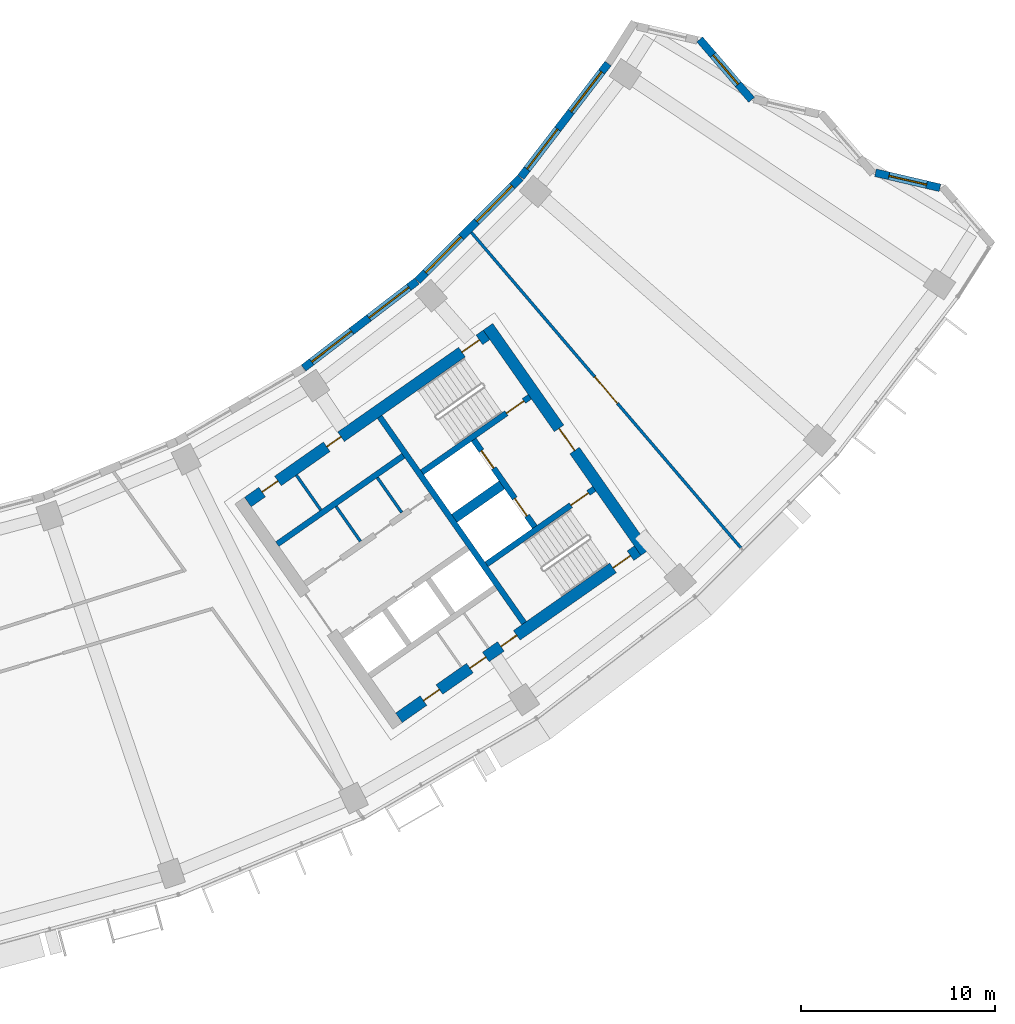
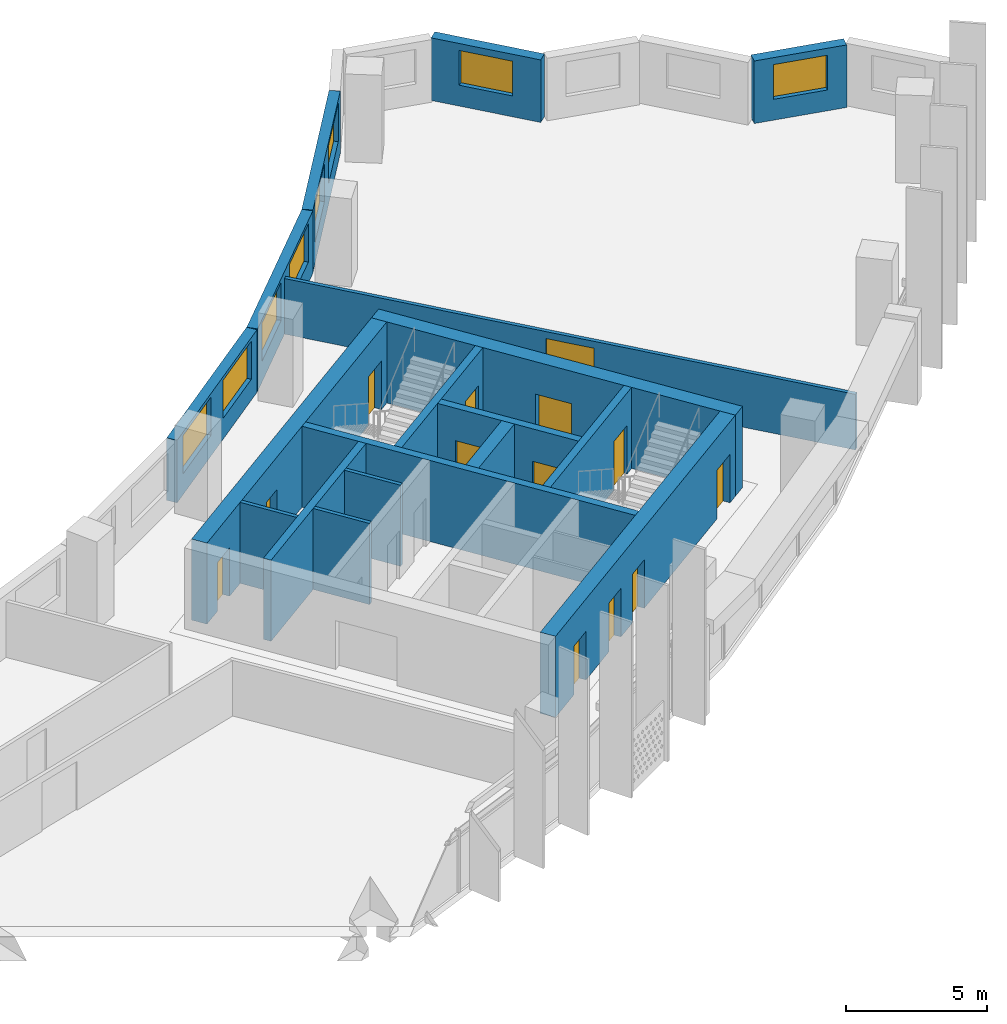
# One storey, part 7 of 27: 18 walls, 13 doors, 8 windows, 21 openings.
"""IFC4 building model written with IfcOpenShell, lengths in metres."""

from ifc_helpers import new_model, si_unit, direction, frame, frame_2d, origin, place, context, subcontext, project, spatial, rectangle, extrude, material, layer, layer_set, type_object, element, fill, save


model = new_model("IFC4")

# Units and contexts
model_context = context("Model", 3, precision=1e-05, world=origin(), true_north=direction((0.0, 1.0)))
body_context = subcontext(model_context, "Body", "Model", "MODEL_VIEW")
ifc_project = project(units=[si_unit("LENGTHUNIT", "METRE"), si_unit("AREAUNIT", "SQUARE_METRE"), si_unit("VOLUMEUNIT", "CUBIC_METRE"), si_unit("PLANEANGLEUNIT", "RADIAN"), si_unit("MASSUNIT", "GRAM", prefix="KILO")], contexts=[model_context])

# Site, building, storey
site_placement = place(None, origin())
site = spatial("IfcSite", under=ifc_project, at=site_placement, CompositionType="ELEMENT")
building_placement = place(site_placement, origin())
building = spatial("IfcBuilding", under=site, at=building_placement, Name="Qamariyya Broadcast Tower", CompositionType="ELEMENT")
storey_placement = place(building_placement, frame((0.0, 0.0, 187.300048828125)))
storey = spatial("IfcBuildingStorey", under=building, at=storey_placement, Name="L44", CompositionType="ELEMENT", Elevation=187.300048828125)

# Wall, opening, door
ifc_material_1 = material(Name="Concrete C60/75", Category="concrete")
ifc_layer_1 = layer(ifc_material_1, 0.60009765625)
ifc_layer_set_1 = layer_set([ifc_layer_1], Name="Core wall 600 mm Concrete C60/75")
wall_type_1 = type_object("IfcWallType", Name="Core wall 600 mm Concrete C60/75", PredefinedType="SHEAR", material=ifc_layer_set_1)
wall_1_placement = place(storey_placement, frame((49.4833984375, -57.031494140625, 0.0), z_axis=(0.0, 0.0, 1.0), x_axis=(-0.573560421458, 0.819163257805, 0.0)))
wall_1 = element("IfcWall", 1, at=wall_1_placement, inside=storey, type_object=wall_type_1, Name="k-E-L44-WH", PredefinedType="SHEAR", context=body_context, shape_type="SweptSolid", body=[
    extrude(rectangle(XDim=14.199951171875, YDim=0.60009765625, at=frame_2d((7.10009765625, 0.0))), origin(), (0.0, 0.0, 1.0), 3.5),
])
opening_1_placement = place(wall_1_placement, frame((6.39990234375, 0.0, 0.0)))
opening_1 = element("IfcOpeningElement", 2, at=opening_1_placement, cuts=wall_1, Name="Opening KD2-E1", PredefinedType="OPENING", context=body_context, shape_type="SweptSolid", body=[
    extrude(rectangle(XDim=1.39990234375, YDim=2.10009765625, at=frame_2d((0.699951171875, 1.050048828125))), frame((0.0, 0.31005859375, 0.0), z_axis=(0.0, -1.0, 0.0), x_axis=(1.0, 0.0, 0.0)), (0.0, 0.0, 1.0), 0.6201171875),
])
ifc_material_2 = material(Name="Steel fire-resisting door leaf", Category="steel")
door_type_1 = type_object("IfcDoorType", Name="Fire-fighting lobby door KD2", OperationType="DOUBLE_DOOR_SINGLE_SWING", PredefinedType="DOOR", material=ifc_material_2)
door_1_placement = place(opening_1_placement, origin())
door_1 = element("IfcDoor", 3, at=door_1_placement, inside=storey, type_object=door_type_1, Name="k-E-L44-WH-D14", OperationType="DOUBLE_DOOR_SINGLE_SWING", OverallHeight=2.10009765625, OverallWidth=1.39990234375, PredefinedType="DOOR", context=body_context, shape_type="SweptSolid", body=[
    extrude(rectangle(XDim=1.39990234375, YDim=2.10009765625, at=frame_2d((0.699951171875, 1.050048828125))), frame((0.0, 0.02490234375, 0.0), z_axis=(0.0, -1.0, 0.0), x_axis=(1.0, 0.0, 0.0)), (0.0, 0.0, 1.0), 0.050048828125),
])
fill(opening_1, door_1)

# Wall, openings, doors
wall_2_placement = place(storey_placement, frame((28.940673828125, -54.447021484375, 0.0), z_axis=(0.0, 0.0, 1.0), x_axis=(0.819153391756, 0.573574511963, 0.0)))
wall_2 = element("IfcWall", 4, at=wall_2_placement, inside=storey, type_object=wall_type_1, Name="k-E-L44-WI", PredefinedType="SHEAR", context=body_context, shape_type="SweptSolid", body=[
    extrude(rectangle(XDim=15.04541015625, YDim=0.60009765625, at=frame_2d((7.522705078125, 0.0))), origin(), (0.0, 0.0, 1.0), 3.5),
])
opening_2_placement = place(wall_2_placement, frame((0.89990234375, 0.0, 0.0)))
opening_2 = element("IfcOpeningElement", 5, at=opening_2_placement, cuts=wall_2, Name="Opening KD7-E1", PredefinedType="OPENING", context=body_context, shape_type="SweptSolid", body=[
    extrude(rectangle(XDim=1.0, YDim=2.10009765625, at=frame_2d((0.5, 1.050048828125))), frame((0.0, 0.31005859375, 0.0), z_axis=(0.0, -1.0, 0.0), x_axis=(1.0, 0.0, 0.0)), (0.0, 0.0, 1.0), 0.6201171875),
])
opening_3_placement = place(wall_2_placement, frame((4.97509765625, 0.0, 0.0)))
opening_3 = element("IfcOpeningElement", 6, at=opening_3_placement, cuts=wall_2, Name="Opening KD5-E1", PredefinedType="OPENING", context=body_context, shape_type="SweptSolid", body=[
    extrude(rectangle(XDim=0.89990234375, YDim=2.10009765625, at=frame_2d((0.449951171875, 1.050048828125))), frame((0.0, 0.31005859375, 0.0), z_axis=(0.0, -1.0, 0.0), x_axis=(1.0, 0.0, 0.0)), (0.0, 0.0, 1.0), 0.6201171875),
])
opening_4_placement = place(wall_2_placement, frame((13.495361328125, 0.0, 0.0)))
opening_4 = element("IfcOpeningElement", 7, at=opening_4_placement, cuts=wall_2, Name="Opening KD1-E1", PredefinedType="OPENING", context=body_context, shape_type="SweptSolid", body=[
    extrude(rectangle(XDim=1.10009765625, YDim=2.10009765625, at=frame_2d((0.550048828125, 1.050048828125))), frame((0.0, 0.31005859375, 0.0), z_axis=(0.0, -1.0, 0.0), x_axis=(1.0, 0.0, 0.0)), (0.0, 0.0, 1.0), 0.6201171875),
])
door_type_2 = type_object("IfcDoorType", Name="Accessible toilet door KD7", OperationType="SINGLE_SWING_LEFT", PredefinedType="DOOR", material=ifc_material_2)
door_2_placement = place(opening_2_placement, origin())
door_2 = element("IfcDoor", 8, at=door_2_placement, inside=storey, type_object=door_type_2, Name="k-E-L44-WI-D7", OperationType="SINGLE_SWING_LEFT", OverallHeight=2.10009765625, OverallWidth=1.0, PredefinedType="DOOR", context=body_context, shape_type="SweptSolid", body=[
    extrude(rectangle(XDim=1.0, YDim=2.10009765625, at=frame_2d((0.5, 1.050048828125))), frame((0.0, 0.02490234375, 0.0), z_axis=(0.0, -1.0, 0.0), x_axis=(1.0, 0.0, 0.0)), (0.0, 0.0, 1.0), 0.050048828125),
])
fill(opening_2, door_2)
door_type_3 = type_object("IfcDoorType", Name="Stair door KD1", OperationType="SINGLE_SWING_LEFT", PredefinedType="DOOR", material=ifc_material_2)
door_3_placement = place(opening_4_placement, origin())
door_3 = element("IfcDoor", 9, at=door_3_placement, inside=storey, type_object=door_type_3, Name="k-E-L44-WI-D15", OperationType="SINGLE_SWING_RIGHT", OverallHeight=2.10009765625, OverallWidth=1.10009765625, PredefinedType="DOOR", context=body_context, shape_type="SweptSolid", body=[
    extrude(rectangle(XDim=1.10009765625, YDim=2.10009765625, at=frame_2d((0.550048828125, 1.050048828125))), frame((0.0, 0.02490234375, 0.0), z_axis=(0.0, -1.0, 0.0), x_axis=(1.0, 0.0, 0.0)), (0.0, 0.0, 1.0), 0.050048828125),
])
fill(opening_4, door_3)
door_type_4 = type_object("IfcDoorType", Name="Toilet door KD5", OperationType="SINGLE_SWING_LEFT", PredefinedType="DOOR", material=ifc_material_2)
door_4_placement = place(opening_3_placement, origin())
door_4 = element("IfcDoor", 10, at=door_4_placement, inside=storey, type_object=door_type_4, Name="k-E-L44-WI-D8", OperationType="SINGLE_SWING_RIGHT", OverallHeight=2.10009765625, OverallWidth=0.89990234375, PredefinedType="DOOR", context=body_context, shape_type="SweptSolid", body=[
    extrude(rectangle(XDim=0.89990234375, YDim=2.10009765625, at=frame_2d((0.449951171875, 1.050048828125))), frame((0.0, 0.02490234375, 0.0), z_axis=(0.0, -1.0, 0.0), x_axis=(1.0, 0.0, 0.0)), (0.0, 0.0, 1.0), 0.050048828125),
])
fill(opening_3, door_4)

wall_3_placement = place(storey_placement, frame((36.7412109375, -65.58740234375, 0.0), z_axis=(0.0, 0.0, 1.0), x_axis=(0.819153391756, 0.573574511963, 0.0)))
wall_3 = element("IfcWall", 11, at=wall_3_placement, inside=storey, type_object=wall_type_1, Name="k-E-L44-WO", PredefinedType="SHEAR", context=body_context, shape_type="SweptSolid", body=[
    extrude(rectangle(XDim=15.04541015625, YDim=0.60009765625, at=frame_2d((7.522705078125, 0.0))), origin(), (0.0, 0.0, 1.0), 3.5),
])
opening_5_placement = place(wall_3_placement, frame((1.550048828125, 0.0, 0.0)))
opening_5 = element("IfcOpeningElement", 12, at=opening_5_placement, cuts=wall_3, Name="Opening KD4-E2", PredefinedType="OPENING", context=body_context, shape_type="SweptSolid", body=[
    extrude(rectangle(XDim=1.0, YDim=2.10009765625, at=frame_2d((0.5, 1.050048828125))), frame((0.0, 0.31005859375, 0.0), z_axis=(0.0, -1.0, 0.0), x_axis=(1.0, 0.0, 0.0)), (0.0, 0.0, 1.0), 0.6201171875),
])
opening_6_placement = place(wall_3_placement, frame((4.47509765625, 0.0, 0.0)))
opening_6 = element("IfcOpeningElement", 13, at=opening_6_placement, cuts=wall_3, Name="Opening KD4-E3", PredefinedType="OPENING", context=body_context, shape_type="SweptSolid", body=[
    extrude(rectangle(XDim=1.0, YDim=2.10009765625, at=frame_2d((0.5, 1.050048828125))), frame((0.0, 0.31005859375, 0.0), z_axis=(0.0, -1.0, 0.0), x_axis=(1.0, 0.0, 0.0)), (0.0, 0.0, 1.0), 0.6201171875),
])
opening_7_placement = place(wall_3_placement, frame((6.425048828125, 0.0, 0.0)))
opening_7 = element("IfcOpeningElement", 14, at=opening_7_placement, cuts=wall_3, Name="Opening KD4-E4", PredefinedType="OPENING", context=body_context, shape_type="SweptSolid", body=[
    extrude(rectangle(XDim=1.0, YDim=2.10009765625, at=frame_2d((0.5, 1.050048828125))), frame((0.0, 0.31005859375, 0.0), z_axis=(0.0, -1.0, 0.0), x_axis=(1.0, 0.0, 0.0)), (0.0, 0.0, 1.0), 0.6201171875),
])
opening_8_placement = place(wall_3_placement, frame((13.495361328125, 0.0, 0.0)))
opening_8 = element("IfcOpeningElement", 15, at=opening_8_placement, cuts=wall_3, Name="Opening KD1-E3", PredefinedType="OPENING", context=body_context, shape_type="SweptSolid", body=[
    extrude(rectangle(XDim=1.10009765625, YDim=2.10009765625, at=frame_2d((0.550048828125, 1.050048828125))), frame((0.0, 0.31005859375, 0.0), z_axis=(0.0, -1.0, 0.0), x_axis=(1.0, 0.0, 0.0)), (0.0, 0.0, 1.0), 0.6201171875),
])
door_type_5 = type_object("IfcDoorType", Name="Riser and plant door KD4", OperationType="SINGLE_SWING_LEFT", PredefinedType="DOOR", material=ifc_material_2)
door_5_placement = place(opening_5_placement, origin())
door_5 = element("IfcDoor", 16, at=door_5_placement, inside=storey, type_object=door_type_5, Name="k-E-L44-WO-D9", OperationType="SINGLE_SWING_LEFT", OverallHeight=2.10009765625, OverallWidth=1.0, PredefinedType="DOOR", context=body_context, shape_type="SweptSolid", body=[
    extrude(rectangle(XDim=1.0, YDim=2.10009765625, at=frame_2d((0.5, 1.050048828125))), frame((0.0, 0.02490234375, 0.0), z_axis=(0.0, -1.0, 0.0), x_axis=(1.0, 0.0, 0.0)), (0.0, 0.0, 1.0), 0.050048828125),
])
fill(opening_5, door_5)
door_6_placement = place(opening_6_placement, origin())
door_6 = element("IfcDoor", 17, at=door_6_placement, inside=storey, type_object=door_type_5, Name="k-E-L44-WO-D10", OperationType="SINGLE_SWING_RIGHT", OverallHeight=2.10009765625, OverallWidth=1.0, PredefinedType="DOOR", context=body_context, shape_type="SweptSolid", body=[
    extrude(rectangle(XDim=1.0, YDim=2.10009765625, at=frame_2d((0.5, 1.050048828125))), frame((0.0, 0.02490234375, 0.0), z_axis=(0.0, -1.0, 0.0), x_axis=(1.0, 0.0, 0.0)), (0.0, 0.0, 1.0), 0.050048828125),
])
fill(opening_6, door_6)
door_7_placement = place(opening_7_placement, origin())
door_7 = element("IfcDoor", 18, at=door_7_placement, inside=storey, type_object=door_type_5, Name="k-E-L44-WO-D11", OperationType="SINGLE_SWING_LEFT", OverallHeight=2.10009765625, OverallWidth=1.0, PredefinedType="DOOR", context=body_context, shape_type="SweptSolid", body=[
    extrude(rectangle(XDim=1.0, YDim=2.10009765625, at=frame_2d((0.5, 1.050048828125))), frame((0.0, 0.02490234375, 0.0), z_axis=(0.0, -1.0, 0.0), x_axis=(1.0, 0.0, 0.0)), (0.0, 0.0, 1.0), 0.050048828125),
])
fill(opening_7, door_7)
door_8_placement = place(opening_8_placement, origin())
door_8 = element("IfcDoor", 19, at=door_8_placement, inside=storey, type_object=door_type_3, Name="k-E-L44-WO-D17", OperationType="SINGLE_SWING_LEFT", OverallHeight=2.10009765625, OverallWidth=1.10009765625, PredefinedType="DOOR", context=body_context, shape_type="SweptSolid", body=[
    extrude(rectangle(XDim=1.10009765625, YDim=2.10009765625, at=frame_2d((0.550048828125, 1.050048828125))), frame((0.0, 0.02490234375, 0.0), z_axis=(0.0, -1.0, 0.0), x_axis=(1.0, 0.0, 0.0)), (0.0, 0.0, 1.0), 0.050048828125),
])
fill(opening_8, door_8)

# Wall, opening, door
ifc_material_3 = material(Name="Gypsum board partition")
ifc_layer_2 = layer(ifc_material_3, 0.14990234375)
ifc_layer_set_2 = layer_set([ifc_layer_2], Name="Corridor partition 150 EI 60")
wall_type_2 = type_object("IfcWallType", Name="Corridor partition 150 EI 60", PredefinedType="PARTITIONING", material=ifc_layer_set_2)
wall_4_placement = place(storey_placement, frame((40.478759765625, -40.52294921875, 0.0), z_axis=(0.0, 0.0, 1.0), x_axis=(0.649633284071, -0.760247720303, 0.0)))
wall_4 = element("IfcWall", 20, at=wall_4_placement, inside=storey, type_object=wall_type_2, Name="Partition L44-024", PredefinedType="PARTITIONING", context=body_context, shape_type="SweptSolid", body=[
    extrude(rectangle(XDim=21.420166015625, YDim=0.14990234375, at=frame_2d((10.7099609375, 0.0))), origin(), (0.0, 0.0, 1.0), 2.39990234375),
])
opening_9_placement = place(wall_4_placement, frame((9.81005859375, 0.0, 0.0)))
opening_9 = element("IfcOpeningElement", 21, at=opening_9_placement, cuts=wall_4, Name="Opening L44-D12", PredefinedType="OPENING", context=body_context, shape_type="SweptSolid", body=[
    extrude(rectangle(XDim=1.800048828125, YDim=2.10009765625, at=frame_2d((0.89990234375, 1.050048828125))), frame((0.0, 0.0849609375, 0.0), z_axis=(0.0, -1.0, 0.0), x_axis=(1.0, 0.0, 0.0)), (0.0, 0.0, 1.0), 0.169921875),
])
ifc_material_4 = material(Name="Timber fire door leaf", Category="wood")
door_type_6 = type_object("IfcDoorType", Name="Double fire door 1800 x 2100 FD60", OperationType="NOTDEFINED", PredefinedType="DOOR", material=ifc_material_4)
door_9_placement = place(opening_9_placement, origin())
door_9 = element("IfcDoor", 22, at=door_9_placement, inside=storey, type_object=door_type_6, Name="Door L44-D12", OperationType="DOUBLE_DOOR_SINGLE_SWING", OverallHeight=2.10009765625, OverallWidth=1.800048828125, PredefinedType="DOOR", context=body_context, shape_type="SweptSolid", body=[
    extrude(rectangle(XDim=1.800048828125, YDim=2.10009765625, at=frame_2d((0.89990234375, 1.050048828125))), frame((0.0, 0.02490234375, 0.0), z_axis=(0.0, -1.0, 0.0), x_axis=(1.0, 0.0, 0.0)), (0.0, 0.0, 1.0), 0.050048828125),
])
fill(opening_9, door_9)

# Walls
ifc_layer_3 = layer(ifc_material_1, 0.5)
ifc_layer_set_3 = layer_set([ifc_layer_3], Name="Fire-fighting lobby divider wall 500 mm Concrete C60/75")
wall_type_3 = type_object("IfcWallType", Name="Fire-fighting lobby divider wall 500 mm Concrete C60/75", PredefinedType="SOLIDWALL", material=ifc_layer_set_3)
wall_5_placement = place(storey_placement, frame((39.59912109375, -55.28515625, 0.0), z_axis=(0.0, 0.0, 1.0), x_axis=(0.819136323161, 0.573598887793, 0.0)))
element("IfcWall", 23, at=wall_5_placement, inside=storey, type_object=wall_type_3, Name="k-E-L44-FD", PredefinedType="SOLIDWALL", context=body_context, shape_type="SweptSolid", body=[
    extrude(rectangle(XDim=2.999755859375, YDim=0.5, at=frame_2d((1.5, 0.0))), origin(), (0.0, 0.0, 1.0), 3.5),
])
ifc_material_5 = material(Name="Gypsum board partition on steel studs", Category="steel")
ifc_layer_4 = layer(ifc_material_5, 0.14990234375)
ifc_layer_set_4 = layer_set([ifc_layer_4], Name="Gypsum board partition 150 mm")
wall_type_4 = type_object("IfcWallType", Name="Gypsum board partition 150 mm", PredefinedType="PARTITIONING", material=ifc_layer_set_4)
for number, where, z_axis, x_axis, name in (
    (24, (34.757568359375, -56.477783203125, 0.0), (0.0, 0.0, 1.0), (-0.573633636671, 0.819111989218, 0.0), "k-E-L44-NC360"),
    (25, (36.88720703125, -54.986572265625, 0.0), (0.0, 0.0, 1.0), (-0.573507030513, 0.819200638399, 0.0), "k-E-L44-NC620"),
    (26, (32.709228515625, -54.860107421875, 0.0), (0.0, 0.0, 1.0), (-0.573633636671, 0.819111989218, 0.0), "k-E-L44-NP285"),
):
    element("IfcWall", number, at=place(storey_placement, frame(where, z_axis=z_axis, x_axis=x_axis)), inside=storey, type_object=wall_type_4, Name=name, PredefinedType="PARTITIONING", context=body_context, shape_type="SweptSolid", body=[
        extrude(rectangle(XDim=2.199951171875, YDim=0.14990234375, at=frame_2d((1.10009765625, 0.0))), origin(), (0.0, 0.0, 1.0), 3.5),
    ])
ifc_layer_5 = layer(ifc_material_1, 0.300048828125)
ifc_layer_set_5 = layer_set([ifc_layer_5], Name="Lift shaft wall 300 mm Concrete C60/75")
wall_type_5 = type_object("IfcWallType", Name="Lift shaft wall 300 mm Concrete C60/75", PredefinedType="SOLIDWALL", material=ifc_layer_set_5)
wall_6_placement = place(storey_placement, frame((43.204345703125, -60.69580078125, 0.0), z_axis=(0.0, 0.0, 1.0), x_axis=(-0.573571992966, 0.819155155563, 0.0)))
element("IfcWall", 27, at=wall_6_placement, inside=storey, type_object=wall_type_5, Name="k-E-L44-WL", PredefinedType="SOLIDWALL", context=body_context, shape_type="SweptSolid", body=[
    extrude(rectangle(XDim=13.000244140625, YDim=0.300048828125, at=frame_2d((6.5, 0.0))), origin(), (0.0, 0.0, 1.0), 3.5),
])
wall_7_placement = place(storey_placement, frame((30.460693359375, -56.61767578125, 0.0), z_axis=(0.0, 0.0, 1.0), x_axis=(0.819142461705, 0.573590121456, 0.0)))
element("IfcWall", 28, at=wall_7_placement, inside=storey, type_object=wall_type_5, Name="k-E-L44-NB0", PredefinedType="SOLIDWALL", context=body_context, shape_type="SweptSolid", body=[
    extrude(rectangle(XDim=7.949951171875, YDim=0.300048828125, at=frame_2d((3.97509765625, 0.0))), origin(), (0.0, 0.0, 1.0), 3.5),
])

# Wall, opening, door
wall_8_placement = place(storey_placement, frame((37.935546875, -52.90966796875, 0.0), z_axis=(0.0, 0.0, 1.0), x_axis=(0.819147518138, 0.57358290031, 0.0)))
wall_8 = element("IfcWall", 29, at=wall_8_placement, inside=storey, type_object=wall_type_5, Name="k-E-L44-NW", PredefinedType="SOLIDWALL", context=body_context, shape_type="SweptSolid", body=[
    extrude(rectangle(XDim=6.79541015625, YDim=0.300048828125, at=frame_2d((3.397705078125, 0.0))), origin(), (0.0, 0.0, 1.0), 3.5),
])
opening_10_placement = place(wall_8_placement, frame((5.3203125, 0.0, 0.0)))
opening_10 = element("IfcOpeningElement", 30, at=opening_10_placement, cuts=wall_8, Name="Opening KD1-E2", PredefinedType="OPENING", context=body_context, shape_type="SweptSolid", body=[
    extrude(rectangle(XDim=1.10009765625, YDim=2.10009765625, at=frame_2d((0.550048828125, 1.050048828125))), frame((0.0, 0.159912109375, 0.0), z_axis=(0.0, -1.0, 0.0), x_axis=(1.0, 0.0, 0.0)), (0.0, 0.0, 1.0), 0.320068359375),
])
door_10_placement = place(opening_10_placement, origin())
door_10 = element("IfcDoor", 31, at=door_10_placement, inside=storey, type_object=door_type_3, Name="k-E-L44-NW-D16", OperationType="SINGLE_SWING_RIGHT", OverallHeight=2.10009765625, OverallWidth=1.10009765625, PredefinedType="DOOR", context=body_context, shape_type="SweptSolid", body=[
    extrude(rectangle(XDim=1.10009765625, YDim=2.10009765625, at=frame_2d((0.550048828125, 1.050048828125))), frame((0.0, 0.02490234375, 0.0), z_axis=(0.0, -1.0, 0.0), x_axis=(1.0, 0.0, 0.0)), (0.0, 0.0, 1.0), 0.050048828125),
])
fill(opening_10, door_10)

wall_9_placement = place(storey_placement, frame((41.262451171875, -57.66064453125, 0.0), z_axis=(0.0, 0.0, 1.0), x_axis=(0.819164398642, 0.573558792102, 0.0)))
wall_9 = element("IfcWall", 32, at=wall_9_placement, inside=storey, type_object=wall_type_5, Name="k-E-L44-SW", PredefinedType="SOLIDWALL", context=body_context, shape_type="SweptSolid", body=[
    extrude(rectangle(XDim=6.795166015625, YDim=0.300048828125, at=frame_2d((3.3974609375, 0.0))), origin(), (0.0, 0.0, 1.0), 3.5),
])
opening_11_placement = place(wall_9_placement, frame((5.3203125, 0.0, 0.0)))
opening_11 = element("IfcOpeningElement", 33, at=opening_11_placement, cuts=wall_9, Name="Opening KD1-E4", PredefinedType="OPENING", context=body_context, shape_type="SweptSolid", body=[
    extrude(rectangle(XDim=1.10009765625, YDim=2.10009765625, at=frame_2d((0.550048828125, 1.050048828125))), frame((0.0, 0.159912109375, 0.0), z_axis=(0.0, -1.0, 0.0), x_axis=(1.0, 0.0, 0.0)), (0.0, 0.0, 1.0), 0.320068359375),
])
door_11_placement = place(opening_11_placement, origin())
door_11 = element("IfcDoor", 34, at=door_11_placement, inside=storey, type_object=door_type_3, Name="k-E-L44-SW-D18", OperationType="SINGLE_SWING_RIGHT", OverallHeight=2.10009765625, OverallWidth=1.10009765625, PredefinedType="DOOR", context=body_context, shape_type="SweptSolid", body=[
    extrude(rectangle(XDim=1.10009765625, YDim=2.10009765625, at=frame_2d((0.550048828125, 1.050048828125))), frame((0.0, 0.02490234375, 0.0), z_axis=(0.0, -1.0, 0.0), x_axis=(1.0, 0.0, 0.0)), (0.0, 0.0, 1.0), 0.050048828125),
])
fill(opening_11, door_11)

# Wall, openings, doors
wall_10_placement = place(storey_placement, frame((43.756591796875, -55.731201171875, 0.0), z_axis=(0.0, 0.0, 1.0), x_axis=(-0.573536818435, 0.819179783625, 0.0)))
wall_10 = element("IfcWall", 35, at=wall_10_placement, inside=storey, type_object=wall_type_5, Name="k-E-L44-FF", PredefinedType="SOLIDWALL", context=body_context, shape_type="SweptSolid", body=[
    extrude(rectangle(XDim=5.500244140625, YDim=0.300048828125, at=frame_2d((2.75, 0.0))), origin(), (0.0, 0.0, 1.0), 3.5),
])
opening_12_placement = place(wall_10_placement, frame((0.699951171875, 0.0, 0.0)))
opening_12 = element("IfcOpeningElement", 36, at=opening_12_placement, cuts=wall_10, Name="Opening LD", PredefinedType="OPENING", context=body_context, shape_type="SweptSolid", body=[
    extrude(rectangle(XDim=1.10009765625, YDim=2.10009765625, at=frame_2d((0.550048828125, 1.050048828125))), frame((0.0, 0.159912109375, 0.0), z_axis=(0.0, -1.0, 0.0), x_axis=(1.0, 0.0, 0.0)), (0.0, 0.0, 1.0), 0.320068359375),
])
opening_13_placement = place(wall_10_placement, frame((3.699951171875, 0.0, 0.0)))
opening_13 = element("IfcOpeningElement", 37, at=opening_13_placement, cuts=wall_10, Name="Opening LD", PredefinedType="OPENING", context=body_context, shape_type="SweptSolid", body=[
    extrude(rectangle(XDim=1.10009765625, YDim=2.10009765625, at=frame_2d((0.550048828125, 1.050048828125))), frame((0.0, 0.159912109375, 0.0), z_axis=(0.0, -1.0, 0.0), x_axis=(1.0, 0.0, 0.0)), (0.0, 0.0, 1.0), 0.320068359375),
])
door_type_7 = type_object("IfcDoorType", Name="Lift landing door LD", OperationType="DOUBLE_DOOR_SLIDING", PredefinedType="DOOR", material=ifc_material_2)
door_12_placement = place(opening_12_placement, origin())
door_12 = element("IfcDoor", 38, at=door_12_placement, inside=storey, type_object=door_type_7, Name="k-E-L44-FF-D12", OperationType="DOUBLE_DOOR_SLIDING", OverallHeight=2.10009765625, OverallWidth=1.10009765625, PredefinedType="DOOR", context=body_context, shape_type="SweptSolid", body=[
    extrude(rectangle(XDim=1.10009765625, YDim=2.10009765625, at=frame_2d((0.550048828125, 1.050048828125))), frame((0.0, 0.02490234375, 0.0), z_axis=(0.0, -1.0, 0.0), x_axis=(1.0, 0.0, 0.0)), (0.0, 0.0, 1.0), 0.050048828125),
])
fill(opening_12, door_12)
door_13_placement = place(opening_13_placement, origin())
door_13 = element("IfcDoor", 39, at=door_13_placement, inside=storey, type_object=door_type_7, Name="k-E-L44-FF-D13", OperationType="DOUBLE_DOOR_SLIDING", OverallHeight=2.10009765625, OverallWidth=1.10009765625, PredefinedType="DOOR", context=body_context, shape_type="SweptSolid", body=[
    extrude(rectangle(XDim=1.10009765625, YDim=2.10009765625, at=frame_2d((0.550048828125, 1.050048828125))), frame((0.0, 0.02490234375, 0.0), z_axis=(0.0, -1.0, 0.0), x_axis=(1.0, 0.0, 0.0)), (0.0, 0.0, 1.0), 0.050048828125),
])
fill(opening_13, door_13)

# Wall, opening, window
ifc_material_6 = material(Name="Terracotta", Category="masonry")
ifc_layer_6 = layer(ifc_material_6, 0.39990234375)
ifc_layer_set_6 = layer_set([ifc_layer_6], Name="Terracotta clad wall 400")
wall_type_6 = type_object("IfcWallType", Name="Terracotta clad wall 400", PredefinedType="SOLIDWALL", material=ifc_layer_set_6)
wall_11_placement = place(storey_placement, frame((64.675537109375, -38.22216796875, 0.0), z_axis=(0.0, 0.0, 1.0), x_axis=(-0.973902789031, 0.22696554258, 0.0)))
wall_11 = element("IfcWall", 40, at=wall_11_placement, inside=storey, type_object=wall_type_6, Name="e-wl-L44-capE1", PredefinedType="SOLIDWALL", context=body_context, shape_type="SweptSolid", body=[
    extrude(rectangle(XDim=3.419677734375, YDim=0.39990234375, at=frame_2d((1.7099609375, 0.0))), origin(), (0.0, 0.0, 1.0), 2.699951171875),
])
opening_14_placement = place(wall_11_placement, frame((0.709716796875, 0.0, 0.89990234375)))
opening_14 = element("IfcOpeningElement", 41, at=opening_14_placement, cuts=wall_11, Name="Opening W4", PredefinedType="OPENING", context=body_context, shape_type="SweptSolid", body=[
    extrude(rectangle(XDim=2.0, YDim=1.5, at=frame_2d((1.0, 0.75))), frame((0.0, 0.2099609375, 0.0), z_axis=(0.0, -1.0, 0.0), x_axis=(1.0, 0.0, 0.0)), (0.0, 0.0, 1.0), 0.419921875),
])
ifc_material_7 = material(Name="Clear low-e double glazed unit in aluminium frame", Category="aluminium")
window_type_1 = type_object("IfcWindowType", Name="Horn bay window 2000 x 1500", PartitioningType="SINGLE_PANEL", PredefinedType="WINDOW", material=ifc_material_7)
window_1_placement = place(opening_14_placement, origin())
window_1 = element("IfcWindow", 42, at=window_1_placement, inside=storey, type_object=window_type_1, Name="e-w-L44-capE1", OverallHeight=1.5, OverallWidth=2.0, PartitioningType="SINGLE_PANEL", PredefinedType="WINDOW", context=body_context, shape_type="SweptSolid", body=[
    extrude(rectangle(XDim=2.0, YDim=1.5, at=frame_2d((1.0, 0.75))), frame((0.0, 0.030029296875, 0.0), z_axis=(0.0, -1.0, 0.0), x_axis=(1.0, 0.0, 0.0)), (0.0, 0.0, 1.0), 0.06005859375),
])
fill(opening_14, window_1)

wall_12_placement = place(storey_placement, frame((54.947265625, -33.68017578125, 0.0), z_axis=(0.0, 0.0, 1.0), x_axis=(-0.651388083536, 0.758744729555, 0.0)))
wall_12 = element("IfcWall", 43, at=wall_12_placement, inside=storey, type_object=wall_type_6, Name="e-wl-L44-capE4", PredefinedType="SOLIDWALL", context=body_context, shape_type="SweptSolid", body=[
    extrude(rectangle(XDim=4.109375, YDim=0.39990234375, at=frame_2d((2.0546875, 0.0))), origin(), (0.0, 0.0, 1.0), 2.699951171875),
])
opening_15_placement = place(wall_12_placement, frame((1.0546875, 0.0, 0.89990234375)))
opening_15 = element("IfcOpeningElement", 44, at=opening_15_placement, cuts=wall_12, Name="Opening W4", PredefinedType="OPENING", context=body_context, shape_type="SweptSolid", body=[
    extrude(rectangle(XDim=2.0, YDim=1.5, at=frame_2d((1.0, 0.75))), frame((0.0, 0.2099609375, 0.0), z_axis=(0.0, -1.0, 0.0), x_axis=(1.0, 0.0, 0.0)), (0.0, 0.0, 1.0), 0.419921875),
])
window_2_placement = place(opening_15_placement, origin())
window_2 = element("IfcWindow", 45, at=window_2_placement, inside=storey, type_object=window_type_1, Name="e-w-L44-capE4", OverallHeight=1.5, OverallWidth=2.0, PartitioningType="SINGLE_PANEL", PredefinedType="WINDOW", context=body_context, shape_type="SweptSolid", body=[
    extrude(rectangle(XDim=2.0, YDim=1.5, at=frame_2d((1.0, 0.75))), frame((0.0, 0.030029296875, 0.0), z_axis=(0.0, -1.0, 0.0), x_axis=(1.0, 0.0, 0.0)), (0.0, 0.0, 1.0), 0.06005859375),
])
fill(opening_15, window_2)

# Wall, openings, windows
wall_13_placement = place(storey_placement, frame((37.674560546875, -43.036376953125, 0.0), z_axis=(0.0, 0.0, 1.0), x_axis=(-0.79334647843, -0.608770371457, 0.0)))
wall_13 = element("IfcWall", 46, at=wall_13_placement, inside=storey, type_object=wall_type_6, Name="e-wl-L44-in120", PredefinedType="SOLIDWALL", context=body_context, shape_type="SweptSolid", body=[
    extrude(rectangle(XDim=7.380615234375, YDim=0.39990234375, at=frame_2d((3.6904296875, 0.0))), origin(), (0.0, 0.0, 1.0), 2.699951171875),
])
opening_16_placement = place(wall_13_placement, frame((4.25439453125, 0.0, 0.89990234375)))
opening_16 = element("IfcOpeningElement", 47, at=opening_16_placement, cuts=wall_13, Name="Opening W1", PredefinedType="OPENING", context=body_context, shape_type="SweptSolid", body=[
    extrude(rectangle(XDim=2.60009765625, YDim=1.64990234375, at=frame_2d((1.300048828125, 0.824951171875))), frame((0.0, 0.2099609375, 0.0), z_axis=(0.0, -1.0, 0.0), x_axis=(1.0, 0.0, 0.0)), (0.0, 0.0, 1.0), 0.419921875),
])
opening_17_placement = place(wall_13_placement, frame((0.5263671875, 0.0, 0.89990234375)))
opening_17 = element("IfcOpeningElement", 48, at=opening_17_placement, cuts=wall_13, Name="Opening W1", PredefinedType="OPENING", context=body_context, shape_type="SweptSolid", body=[
    extrude(rectangle(XDim=2.60009765625, YDim=1.64990234375, at=frame_2d((1.300048828125, 0.824951171875))), frame((0.0, 0.2099609375, 0.0), z_axis=(0.0, -1.0, 0.0), x_axis=(1.0, 0.0, 0.0)), (0.0, 0.0, 1.0), 0.419921875),
])
window_type_2 = type_object("IfcWindowType", Name="Ribbon window 2600 x 1650", PartitioningType="SINGLE_PANEL", PredefinedType="WINDOW", material=ifc_material_7)
window_3_placement = place(opening_16_placement, origin())
window_3 = element("IfcWindow", 49, at=window_3_placement, inside=storey, type_object=window_type_2, Name="e-w-L44-in12-0", OverallHeight=1.64990234375, OverallWidth=2.60009765625, PartitioningType="SINGLE_PANEL", PredefinedType="WINDOW", context=body_context, shape_type="SweptSolid", body=[
    extrude(rectangle(XDim=2.60009765625, YDim=1.64990234375, at=frame_2d((1.300048828125, 0.824951171875))), frame((0.0, 0.030029296875, 0.0), z_axis=(0.0, -1.0, 0.0), x_axis=(1.0, 0.0, 0.0)), (0.0, 0.0, 1.0), 0.06005859375),
])
fill(opening_16, window_3)
window_4_placement = place(opening_17_placement, origin())
window_4 = element("IfcWindow", 50, at=window_4_placement, inside=storey, type_object=window_type_2, Name="e-w-L44-in12-1", OverallHeight=1.64990234375, OverallWidth=2.60009765625, PartitioningType="SINGLE_PANEL", PredefinedType="WINDOW", context=body_context, shape_type="SweptSolid", body=[
    extrude(rectangle(XDim=2.60009765625, YDim=1.64990234375, at=frame_2d((1.300048828125, 0.824951171875))), frame((0.0, 0.030029296875, 0.0), z_axis=(0.0, -1.0, 0.0), x_axis=(1.0, 0.0, 0.0)), (0.0, 0.0, 1.0), 0.06005859375),
])
fill(opening_17, window_4)

wall_14_placement = place(storey_placement, frame((43.023193359375, -37.697265625, 0.0), z_axis=(0.0, 0.0, 1.0), x_axis=(-0.707106781187, -0.707106781187, 0.0)))
wall_14 = element("IfcWall", 51, at=wall_14_placement, inside=storey, type_object=wall_type_6, Name="e-wl-L44-in130", PredefinedType="SOLIDWALL", context=body_context, shape_type="SweptSolid", body=[
    extrude(rectangle(XDim=7.531982421875, YDim=0.39990234375, at=frame_2d((3.76611328125, 0.0))), origin(), (0.0, 0.0, 1.0), 2.699951171875),
])
opening_18_placement = place(wall_14_placement, frame((4.330078125, 0.0, 0.89990234375)))
opening_18 = element("IfcOpeningElement", 52, at=opening_18_placement, cuts=wall_14, Name="Opening W1", PredefinedType="OPENING", context=body_context, shape_type="SweptSolid", body=[
    extrude(rectangle(XDim=2.60009765625, YDim=1.64990234375, at=frame_2d((1.300048828125, 0.824951171875))), frame((0.0, 0.2099609375, 0.0), z_axis=(0.0, -1.0, 0.0), x_axis=(1.0, 0.0, 0.0)), (0.0, 0.0, 1.0), 0.419921875),
])
opening_19_placement = place(wall_14_placement, frame((0.60205078125, 0.0, 0.89990234375)))
opening_19 = element("IfcOpeningElement", 53, at=opening_19_placement, cuts=wall_14, Name="Opening W1", PredefinedType="OPENING", context=body_context, shape_type="SweptSolid", body=[
    extrude(rectangle(XDim=2.60009765625, YDim=1.64990234375, at=frame_2d((1.300048828125, 0.824951171875))), frame((0.0, 0.2099609375, 0.0), z_axis=(0.0, -1.0, 0.0), x_axis=(1.0, 0.0, 0.0)), (0.0, 0.0, 1.0), 0.419921875),
])
window_5_placement = place(opening_18_placement, origin())
window_5 = element("IfcWindow", 54, at=window_5_placement, inside=storey, type_object=window_type_2, Name="e-w-L44-in13-0", OverallHeight=1.64990234375, OverallWidth=2.60009765625, PartitioningType="SINGLE_PANEL", PredefinedType="WINDOW", context=body_context, shape_type="SweptSolid", body=[
    extrude(rectangle(XDim=2.60009765625, YDim=1.64990234375, at=frame_2d((1.300048828125, 0.824951171875))), frame((0.0, 0.030029296875, 0.0), z_axis=(0.0, -1.0, 0.0), x_axis=(1.0, 0.0, 0.0)), (0.0, 0.0, 1.0), 0.06005859375),
])
fill(opening_18, window_5)
window_6_placement = place(opening_19_placement, origin())
window_6 = element("IfcWindow", 55, at=window_6_placement, inside=storey, type_object=window_type_2, Name="e-w-L44-in13-1", OverallHeight=1.64990234375, OverallWidth=2.60009765625, PartitioningType="SINGLE_PANEL", PredefinedType="WINDOW", context=body_context, shape_type="SweptSolid", body=[
    extrude(rectangle(XDim=2.60009765625, YDim=1.64990234375, at=frame_2d((1.300048828125, 0.824951171875))), frame((0.0, 0.030029296875, 0.0), z_axis=(0.0, -1.0, 0.0), x_axis=(1.0, 0.0, 0.0)), (0.0, 0.0, 1.0), 0.06005859375),
])
fill(opening_19, window_6)

wall_15_placement = place(storey_placement, frame((47.5380859375, -31.807861328125, 0.0), z_axis=(0.0, 0.0, 1.0), x_axis=(-0.608764181913, -0.793351227906, 0.0)))
wall_15 = element("IfcWall", 56, at=wall_15_placement, inside=storey, type_object=wall_type_6, Name="e-wl-L44-in140", PredefinedType="SOLIDWALL", context=body_context, shape_type="SweptSolid", body=[
    extrude(rectangle(XDim=7.394775390625, YDim=0.39990234375, at=frame_2d((3.697265625, 0.0))), origin(), (0.0, 0.0, 1.0), 2.699951171875),
])
opening_20_placement = place(wall_15_placement, frame((4.2685546875, 0.0, 0.89990234375)))
opening_20 = element("IfcOpeningElement", 57, at=opening_20_placement, cuts=wall_15, Name="Opening W1", PredefinedType="OPENING", context=body_context, shape_type="SweptSolid", body=[
    extrude(rectangle(XDim=2.60009765625, YDim=1.64990234375, at=frame_2d((1.300048828125, 0.824951171875))), frame((0.0, 0.2099609375, 0.0), z_axis=(0.0, -1.0, 0.0), x_axis=(1.0, 0.0, 0.0)), (0.0, 0.0, 1.0), 0.419921875),
])
opening_21_placement = place(wall_15_placement, frame((0.54052734375, 0.0, 0.89990234375)))
opening_21 = element("IfcOpeningElement", 58, at=opening_21_placement, cuts=wall_15, Name="Opening W1", PredefinedType="OPENING", context=body_context, shape_type="SweptSolid", body=[
    extrude(rectangle(XDim=2.60009765625, YDim=1.64990234375, at=frame_2d((1.300048828125, 0.824951171875))), frame((0.0, 0.2099609375, 0.0), z_axis=(0.0, -1.0, 0.0), x_axis=(1.0, 0.0, 0.0)), (0.0, 0.0, 1.0), 0.419921875),
])
window_7_placement = place(opening_20_placement, origin())
window_7 = element("IfcWindow", 59, at=window_7_placement, inside=storey, type_object=window_type_2, Name="e-w-L44-in14-0", OverallHeight=1.64990234375, OverallWidth=2.60009765625, PartitioningType="SINGLE_PANEL", PredefinedType="WINDOW", context=body_context, shape_type="SweptSolid", body=[
    extrude(rectangle(XDim=2.60009765625, YDim=1.64990234375, at=frame_2d((1.300048828125, 0.824951171875))), frame((0.0, 0.030029296875, 0.0), z_axis=(0.0, -1.0, 0.0), x_axis=(1.0, 0.0, 0.0)), (0.0, 0.0, 1.0), 0.06005859375),
])
fill(opening_20, window_7)
window_8_placement = place(opening_21_placement, origin())
window_8 = element("IfcWindow", 60, at=window_8_placement, inside=storey, type_object=window_type_2, Name="e-w-L44-in14-1", OverallHeight=1.64990234375, OverallWidth=2.60009765625, PartitioningType="SINGLE_PANEL", PredefinedType="WINDOW", context=body_context, shape_type="SweptSolid", body=[
    extrude(rectangle(XDim=2.60009765625, YDim=1.64990234375, at=frame_2d((1.300048828125, 0.824951171875))), frame((0.0, 0.030029296875, 0.0), z_axis=(0.0, -1.0, 0.0), x_axis=(1.0, 0.0, 0.0)), (0.0, 0.0, 1.0), 0.06005859375),
])
fill(opening_21, window_8)

save(model, "model.ifc")
